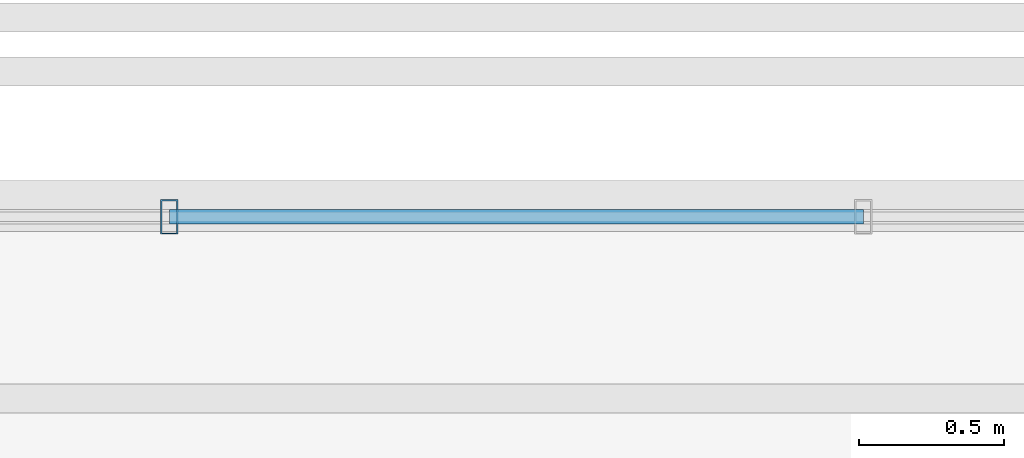
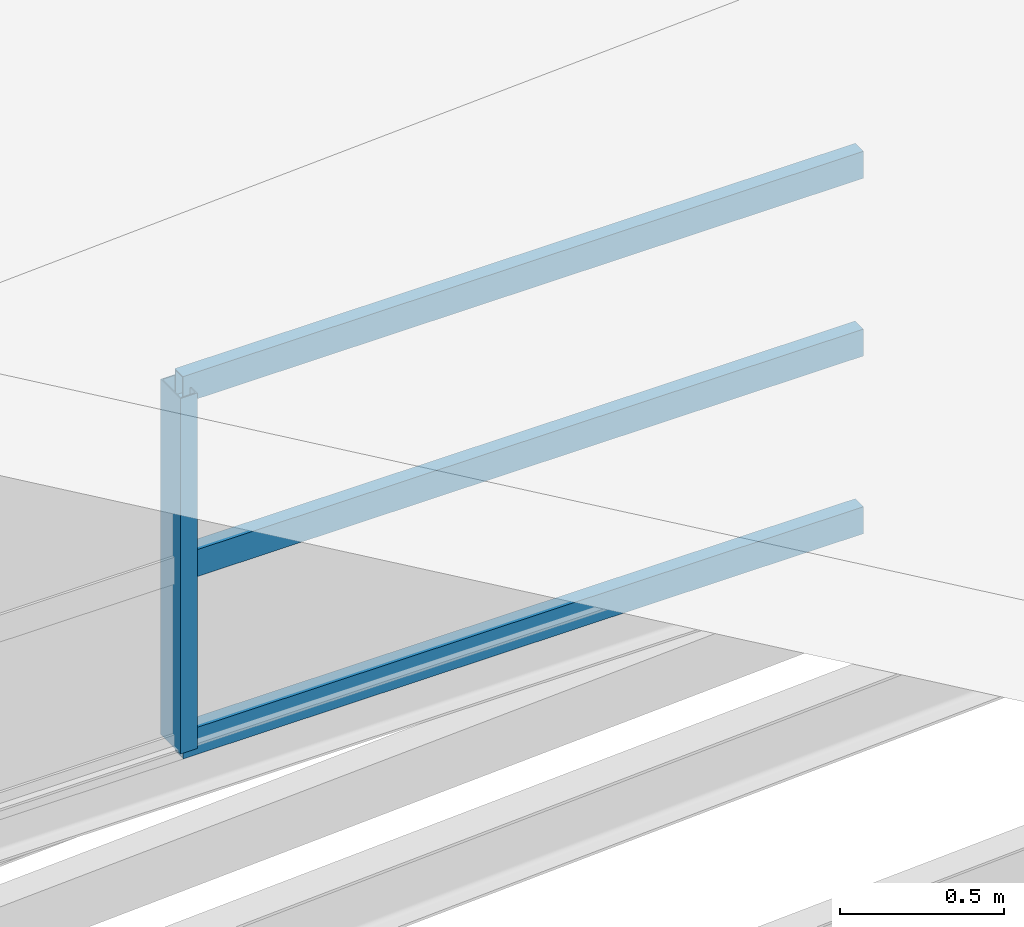
# One storey, part 88 of 141: 4 members, 1 element without a shape of its own.
"""IFC4 building model written with IfcOpenShell, lengths in metres."""

from ifc_helpers import new_model, si_unit, direction, frame, origin, origin_2d, place, context, subcontext, project, spatial, hollow_rectangle, extrude, material, material_profile, profile_set, type_object, element, aggregate, save


model = new_model("IFC4")

# Units and contexts
model_context = context("Model", 3, precision=1e-05, world=origin(), true_north=direction((0.0, 1.0)))
body_context = subcontext(model_context, "Body", "Model", "MODEL_VIEW")
ifc_project = project(units=[si_unit("LENGTHUNIT", "METRE"), si_unit("AREAUNIT", "SQUARE_METRE"), si_unit("VOLUMEUNIT", "CUBIC_METRE"), si_unit("PLANEANGLEUNIT", "RADIAN"), si_unit("MASSUNIT", "GRAM", prefix="KILO")], contexts=[model_context])

# Site, building, storey
site_placement = place(None, origin())
site = spatial("IfcSite", under=ifc_project, at=site_placement, CompositionType="ELEMENT")
building_placement = place(site_placement, origin())
building = spatial("IfcBuilding", under=site, at=building_placement, Name="Sundkrona Museum", CompositionType="ELEMENT")
storey_placement = place(building_placement, frame((0.0, 0.0, 34.0)))
storey = spatial("IfcBuildingStorey", under=building, at=storey_placement, Name="RF", CompositionType="ELEMENT", Elevation=34.0)

# Curtain wall, members
ifc_material_1 = material(Name="Unitised Aluminium-Steel and Ceramic-Clad Curtain Walling", Category="steel")
curtain_wall_type = type_object("IfcCurtainWallType", Name="CW-SW-240x13", PredefinedType="NOTDEFINED", material=ifc_material_1)
curtain_wall_placement = place(storey_placement, origin())
curtain_wall = element("IfcCurtainWall", 1, at=curtain_wall_placement, inside=storey, type_object=curtain_wall_type, Name="Sawtooth Bay 6 West North-Light Clerestory", PredefinedType="NOTDEFINED")
ifc_material_2 = material(Name="Aluminium EN AW-6060 T66", Category="aluminium")
ifc_material_profile_1 = material_profile(ifc_material_2, hollow_rectangle(XDim=0.06005859375, YDim=0.1201171875, WallThickness=0.0048828125, at=origin_2d()), Name="RHS 120x60x5.0")
ifc_profile_set_1 = profile_set([ifc_material_profile_1], Name="Aluminium EN AW-6060 T66")
member_type_1 = type_object("IfcMemberType", Name="ML-120", PredefinedType="MULLION", material=ifc_profile_set_1)
member_1_placement = place(storey_placement, frame((129.610107421875, 42.699951171875, 4.31298828125), z_axis=(0.0, 0.0, 1.0), x_axis=(1.0, 0.0, 0.0)))
member_1 = element("IfcMember", 2, at=member_1_placement, type_object=member_type_1, Name="CW-RF-SAW-06W Mullion 05", PredefinedType="MULLION", context=body_context, shape_type="SweptSolid", body=[
    extrude(hollow_rectangle(XDim=0.06005859375, YDim=0.1201171875, WallThickness=0.0048828125, at=origin_2d()), origin(), (0.0, 0.0, 1.0), 1.320068359375),
])
ifc_material_profile_2 = material_profile(ifc_material_2, hollow_rectangle(XDim=0.050048828125, YDim=0.10009765625, WallThickness=0.0048828125, at=origin_2d()), Name="RHS 100x50x5.0")
ifc_profile_set_2 = profile_set([ifc_material_profile_2], Name="Aluminium EN AW-6060 T66")
member_type_2 = type_object("IfcMemberType", Name="TR-100", PredefinedType="USERDEFINED", material=ifc_profile_set_2)
member_2_placement = place(storey_placement, frame((129.610107421875, 42.699951171875, 4.31298828125), z_axis=(1.0, 0.0, 0.0), x_axis=(0.0, 1.0, 0.0)))
member_2 = element("IfcMember", 3, at=member_2_placement, type_object=member_type_2, Name="CW-RF-SAW-06W Transom 13", ObjectType="TRANSOM", PredefinedType="USERDEFINED", context=body_context, shape_type="SweptSolid", body=[
    extrude(hollow_rectangle(XDim=0.050048828125, YDim=0.10009765625, WallThickness=0.0048828125, at=origin_2d()), origin(), (0.0, 0.0, 1.0), 2.389892578125),
])
member_3_placement = place(storey_placement, frame((129.610107421875, 42.699951171875, 4.972900390625), z_axis=(1.0, 0.0, 0.0), x_axis=(0.0, 1.0, 0.0)))
member_3 = element("IfcMember", 4, at=member_3_placement, type_object=member_type_2, Name="CW-RF-SAW-06W Transom 14", ObjectType="TRANSOM", PredefinedType="USERDEFINED", context=body_context, shape_type="SweptSolid", body=[
    extrude(hollow_rectangle(XDim=0.050048828125, YDim=0.10009765625, WallThickness=0.0048828125, at=origin_2d()), origin(), (0.0, 0.0, 1.0), 2.389892578125),
])
member_4_placement = place(storey_placement, frame((129.610107421875, 42.699951171875, 5.633056640625), z_axis=(1.0, 0.0, 0.0), x_axis=(0.0, 1.0, 0.0)))
member_4 = element("IfcMember", 5, at=member_4_placement, type_object=member_type_2, Name="CW-RF-SAW-06W Transom 15", ObjectType="TRANSOM", PredefinedType="USERDEFINED", context=body_context, shape_type="SweptSolid", body=[
    extrude(hollow_rectangle(XDim=0.050048828125, YDim=0.10009765625, WallThickness=0.0048828125, at=origin_2d()), origin(), (0.0, 0.0, 1.0), 2.389892578125),
])
aggregate(curtain_wall, [member_1, member_2, member_3, member_4])

save(model, "model.ifc")
